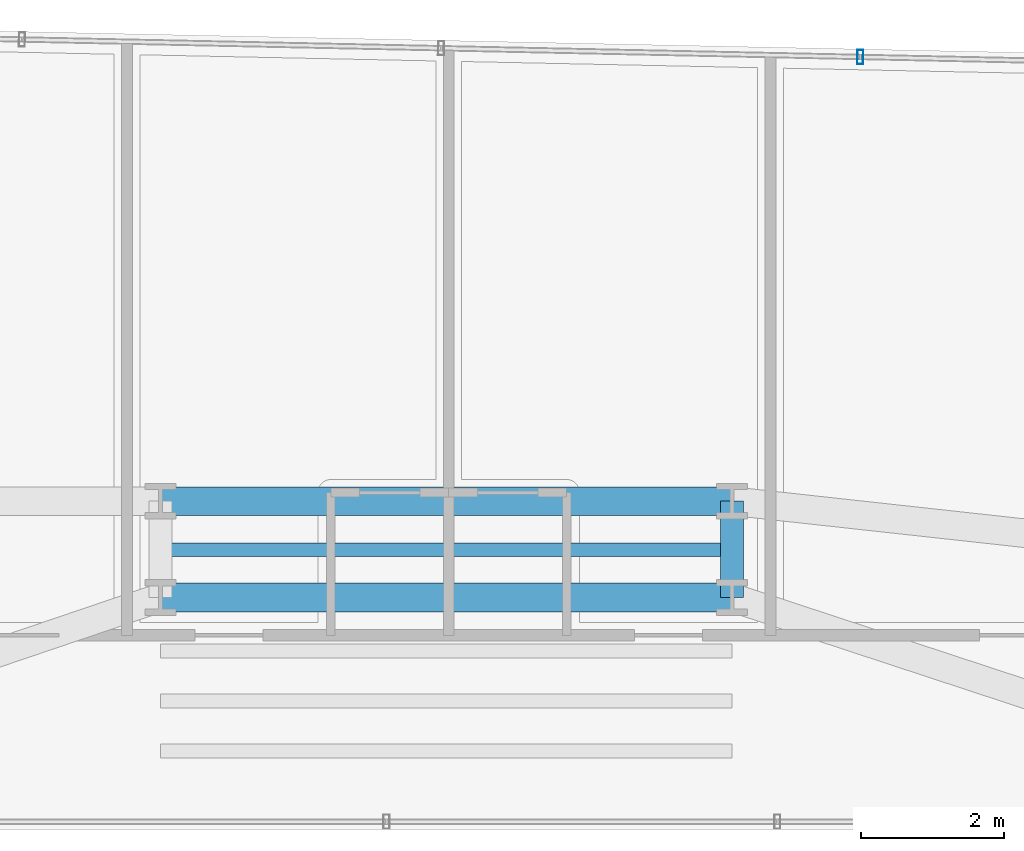
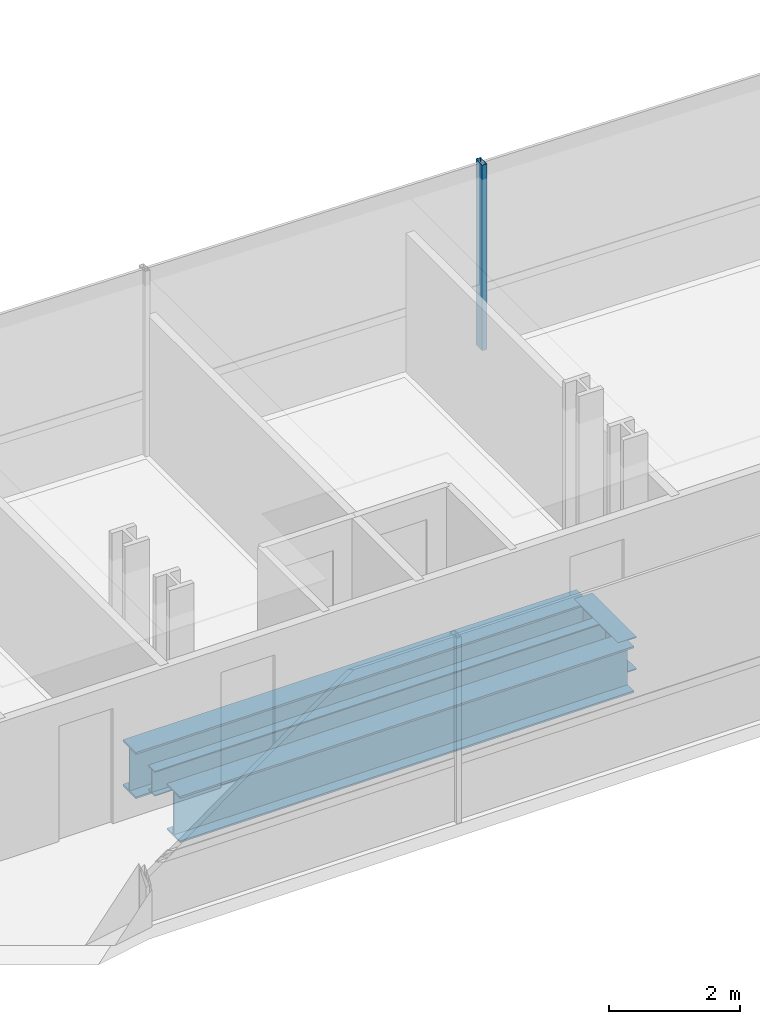
# One storey, part 21 of 42: 4 beams, 1 member, 1 element without a shape of its own.
"""IFC4 building model written with IfcOpenShell, lengths in metres."""

from ifc_helpers import new_model, si_unit, direction, frame, origin, origin_2d, place, context, subcontext, project, spatial, hollow_rectangle, i_section, extrude, source, transform, mapped, material, material_profile, profile_set, type_object, element, aggregate, save


model = new_model("IFC4")

# Units and contexts
model_context = context("Model", 3, precision=1e-05, world=origin(), true_north=direction((0.0, 1.0)))
body_context = subcontext(model_context, "Body", "Model", "MODEL_VIEW")
ifc_project = project(units=[si_unit("LENGTHUNIT", "METRE"), si_unit("AREAUNIT", "SQUARE_METRE"), si_unit("VOLUMEUNIT", "CUBIC_METRE"), si_unit("PLANEANGLEUNIT", "RADIAN"), si_unit("MASSUNIT", "GRAM", prefix="KILO")], contexts=[model_context])

# Site, building, storey
site_placement = place(None, origin())
site = spatial("IfcSite", under=ifc_project, at=site_placement, CompositionType="ELEMENT")
building_placement = place(site_placement, origin())
building = spatial("IfcBuilding", under=site, at=building_placement, Name="Valdorenza Pilgrim Sanctuary Tower", CompositionType="ELEMENT")
storey_placement = place(building_placement, frame((0.0, 0.0, 29.699951171875)))
storey = spatial("IfcBuildingStorey", under=building, at=storey_placement, Name="L06", CompositionType="ELEMENT", Elevation=29.699951171875)

# Beams
ifc_material_1 = material(Name="Steel ASTM A992 Grade 50", Category="steel")
ifc_material_profile_1 = material_profile(ifc_material_1, i_section(OverallWidth=0.39990234375, OverallDepth=0.862060546875, WebThickness=0.019775390625, FlangeThickness=0.032470703125, at=origin_2d()), Name="W33X221")
ifc_profile_set_1 = profile_set([ifc_material_profile_1], Name="Steel ASTM A992 Grade 50")
beam_type_1 = type_object("IfcBeamType", Name="STR-BM-GRD-W33", PredefinedType="BEAM", material=ifc_profile_set_1)
shared_shape_1 = source(origin(), body_context, "Body", "SweptSolid", [
    extrude(i_section(OverallWidth=0.39990234375, OverallDepth=0.862060546875, WebThickness=0.019775390625, FlangeThickness=0.032470703125, at=origin_2d()), origin(), (0.0, 0.0, 1.0), 8.0),
])
for number, where, z_axis, x_axis, name in (
    (1, (-4.0, 13.449951171875, -0.6708984375), (1.0, 0.0, 0.0), (0.0, 1.0, 0.0), "L06 Floor Girder KNK-G2"),
    (2, (-4.0, 14.800048828125, -0.6708984375), (1.0, 0.0, 0.0), (0.0, 1.0, 0.0), "L06 Floor Girder KNK-G5"),
):
    element("IfcBeam", number, at=place(storey_placement, frame(where, z_axis=z_axis, x_axis=x_axis)), inside=storey, type_object=beam_type_1, Name=name, PredefinedType="BEAM", context=body_context, shape_type="MappedRepresentation", body=[
        mapped(shared_shape_1, transform((0.0, 0.0, 0.0), x_axis=(1.0, 0.0, 0.0), y_axis=(0.0, 1.0, 0.0), z_axis=(0.0, 0.0, 1.0), scale=1.0)),
    ])
ifc_material_profile_2 = material_profile(ifc_material_1, i_section(OverallWidth=0.323974609375, OverallDepth=0.611083984375, WebThickness=0.0126953125, FlangeThickness=0.01904296875, at=origin_2d()), Name="W24X104")
ifc_profile_set_2 = profile_set([ifc_material_profile_2], Name="Steel ASTM A992 Grade 50")
beam_type_2 = type_object("IfcBeamType", Name="STR-BM-GRD-W24B", PredefinedType="BEAM", material=ifc_profile_set_2)
shared_shape_2 = source(origin(), body_context, "Body", "SweptSolid", [
    extrude(i_section(OverallWidth=0.323974609375, OverallDepth=0.611083984375, WebThickness=0.0126953125, FlangeThickness=0.01904296875, at=origin_2d()), origin(), (0.0, 0.0, 1.0), 1.35009765625),
])
beam_1_placement = place(storey_placement, frame((4.0, 13.449951171875, -0.54541015625), z_axis=(0.0, 1.0, 0.0), x_axis=(-1.0, 0.0, 0.0)))
element("IfcBeam", 3, at=beam_1_placement, inside=storey, type_object=beam_type_2, Name="L06 Floor Girder KNK-TIE-E", PredefinedType="BEAM", context=body_context, shape_type="MappedRepresentation", body=[
    mapped(shared_shape_2, transform((0.0, 0.0, 0.0), x_axis=(1.0, 0.0, 0.0), y_axis=(0.0, 1.0, 0.0), z_axis=(0.0, 0.0, 1.0), scale=1.0)),
])
ifc_material_profile_3 = material_profile(ifc_material_1, i_section(OverallWidth=0.193115234375, OverallDepth=0.466064453125, WebThickness=0.011474609375, FlangeThickness=0.01904296875, at=origin_2d()), Name="W18X65")
ifc_profile_set_3 = profile_set([ifc_material_profile_3], Name="Steel ASTM A992 Grade 50")
beam_type_3 = type_object("IfcBeamType", Name="STR-BM-JST-W18A", PredefinedType="JOIST", material=ifc_profile_set_3)
shared_shape_3 = source(origin(), body_context, "Body", "SweptSolid", [
    extrude(i_section(OverallWidth=0.193115234375, OverallDepth=0.466064453125, WebThickness=0.011474609375, FlangeThickness=0.01904296875, at=origin_2d()), origin(), (0.0, 0.0, 1.0), 8.0),
])
beam_2_placement = place(storey_placement, frame((-4.0, 14.1201171875, -0.472900390625), z_axis=(1.0, 0.0, 0.0), x_axis=(0.0, 1.0, 0.0)))
element("IfcBeam", 4, at=beam_2_placement, inside=storey, type_object=beam_type_3, Name="L06 Knuckle Composite Joist JST-KNK-4", PredefinedType="JOIST", context=body_context, shape_type="MappedRepresentation", body=[
    mapped(shared_shape_3, transform((0.0, 0.0, 0.0), x_axis=(1.0, 0.0, 0.0), y_axis=(0.0, 1.0, 0.0), z_axis=(0.0, 0.0, 1.0), scale=1.0)),
])

# Curtain wall, member
ifc_material_2 = material(Name="Curtain-wall IGU glazing", Category="glass")
curtain_wall_type = type_object("IfcCurtainWallType", Name="CW-SYS-02", PredefinedType="NOTDEFINED", material=ifc_material_2)
curtain_wall_placement = place(storey_placement, origin())
curtain_wall = element("IfcCurtainWall", 5, at=curtain_wall_placement, inside=storey, type_object=curtain_wall_type, Name="L06 Curtain Wall CW-L06-1-11", PredefinedType="NOTDEFINED")
ifc_material_3 = material(Name="Anodised aluminium AW-6060", Category="aluminium")
ifc_material_profile_4 = material_profile(ifc_material_3, hollow_rectangle(XDim=0.0849609375, YDim=0.199951171875, WallThickness=0.0048828125, at=origin_2d()), Name="ALU-M 200x85x5")
ifc_profile_set_4 = profile_set([ifc_material_profile_4], Name="Anodised aluminium AW-6060")
member_type = type_object("IfcMemberType", Name="CW-MUL-02", PredefinedType="MULLION", material=ifc_profile_set_4)
shared_shape_4 = source(origin(), body_context, "Body", "SweptSolid", [
    extrude(hollow_rectangle(XDim=0.0849609375, YDim=0.199951171875, WallThickness=0.0048828125, at=origin_2d()), origin(), (0.0, 0.0, 1.0), 3.4599609375),
])
member_placement = place(storey_placement, frame((5.797119140625, 21.019287109375, 0.0), z_axis=(0.0, 0.0, 1.0), x_axis=(0.999783234613, -0.020820273474, 0.0)))
member = element("IfcMember", 6, at=member_placement, type_object=member_type, Name="CW-L06-1-11 Mullion 4", PredefinedType="MULLION", context=body_context, shape_type="MappedRepresentation", body=[
    mapped(shared_shape_4, transform((0.0, 0.0, 0.0), x_axis=(1.0, 0.0, 0.0), y_axis=(0.0, 1.0, 0.0), z_axis=(0.0, 0.0, 1.0), scale=1.0)),
])
aggregate(curtain_wall, [member])

save(model, "model.ifc")
